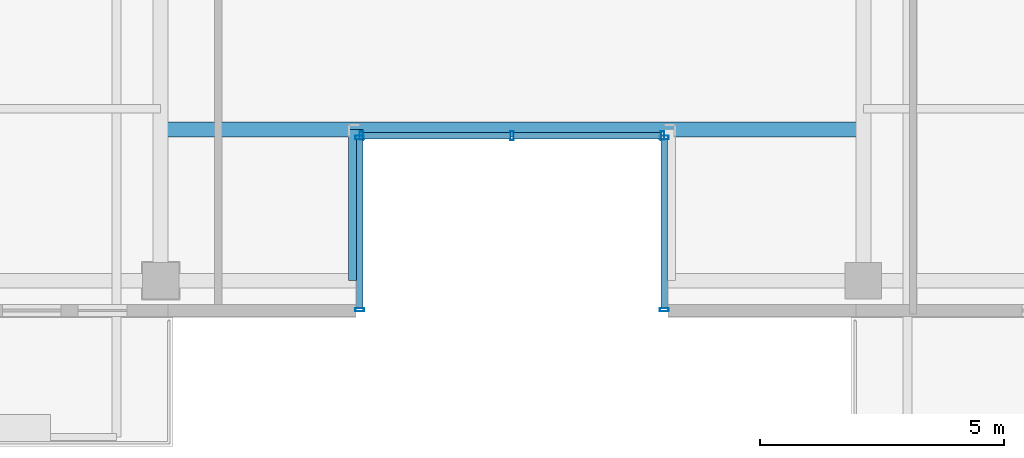
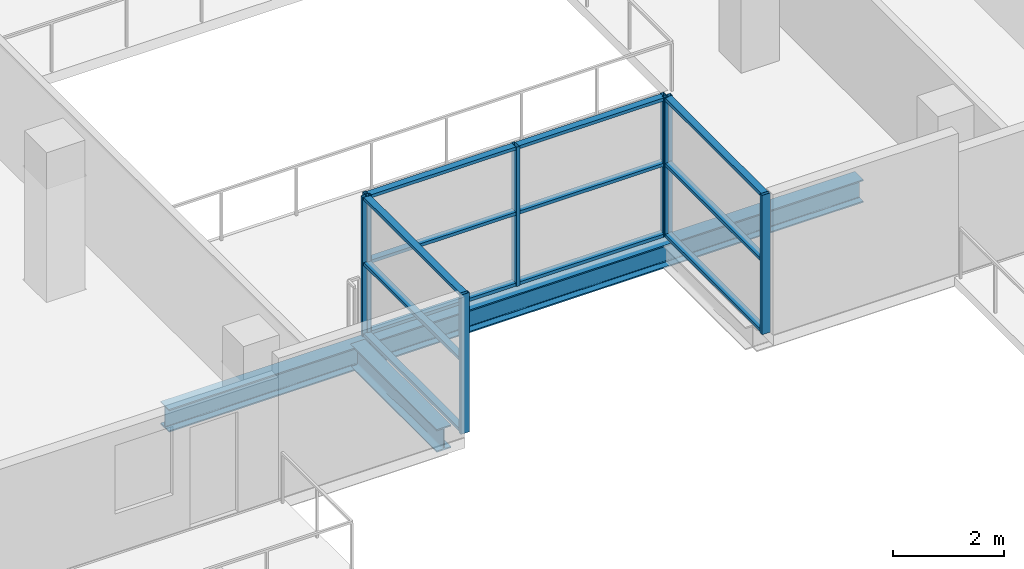
# One storey, part 2 of 21: 19 members, 2 beams, 3 elements without a shape of their own.
"""IFC4 building model written with IfcOpenShell, lengths in metres."""

from ifc_helpers import new_model, si_unit, direction, frame, origin, origin_2d, place, context, subcontext, project, spatial, hollow_rectangle, i_section, extrude, source, transform, mapped, material, layer, layer_set, material_profile, profile_set, type_object, element, aggregate, save


model = new_model("IFC4")

# Units and contexts
model_context = context("Model", 3, precision=1e-05, world=origin(), true_north=direction((0.0, 1.0)))
body_context = subcontext(model_context, "Body", "Model", "MODEL_VIEW")
ifc_project = project(units=[si_unit("LENGTHUNIT", "METRE"), si_unit("AREAUNIT", "SQUARE_METRE"), si_unit("VOLUMEUNIT", "CUBIC_METRE"), si_unit("PLANEANGLEUNIT", "RADIAN"), si_unit("MASSUNIT", "GRAM", prefix="KILO")], contexts=[model_context])

# Site, building, storey
site_placement = place(None, origin())
site = spatial("IfcSite", under=ifc_project, at=site_placement, CompositionType="ELEMENT")
building_placement = place(site_placement, origin())
building = spatial("IfcBuilding", under=site, at=building_placement, Name="Zarnakvel Exchange Tower", CompositionType="ELEMENT")
storey_placement = place(building_placement, frame((0.0, 0.0, 152.800048828125)))
storey = spatial("IfcBuildingStorey", under=building, at=storey_placement, Name="L42", CompositionType="ELEMENT", Elevation=152.800048828125)

# Beams
ifc_material_1 = material(Name="Steel S355", Category="steel")
ifc_material_profile_1 = material_profile(ifc_material_1, i_section(OverallWidth=0.300048828125, OverallDepth=0.5, WebThickness=0.014404296875, FlangeThickness=0.028076171875, FilletRadius=0.027099609375, at=origin_2d()))
ifc_profile_set_1 = profile_set([ifc_material_profile_1], Name="Steel S355")
beam_type_1 = type_object("IfcBeamType", Name="G-06", PredefinedType="BEAM", material=ifc_profile_set_1)
beam_1_placement = place(storey_placement, frame((-3.199951171875, -16.64990234375, -0.47509765625), z_axis=(0.0, 1.0, 0.0), x_axis=(-1.0, 0.0, 0.0)))
element("IfcBeam", 1, at=beam_1_placement, inside=storey, type_object=beam_type_1, Name="L42 South Slot West Cheek Beam", PredefinedType="BEAM", context=body_context, shape_type="SweptSolid", body=[
    extrude(i_section(OverallWidth=0.300048828125, OverallDepth=0.5, WebThickness=0.014404296875, FlangeThickness=0.028076171875, FilletRadius=0.027099609375, at=origin_2d()), origin(), (0.0, 0.0, 1.0), 3.099853515625),
])
ifc_material_profile_2 = material_profile(ifc_material_1, i_section(OverallWidth=0.300048828125, OverallDepth=0.5, WebThickness=0.014404296875, FlangeThickness=0.028076171875, FilletRadius=0.027099609375, at=origin_2d()))
ifc_profile_set_2 = profile_set([ifc_material_profile_2], Name="Steel S355")
beam_type_2 = type_object("IfcBeamType", Name="SP-02", PredefinedType="SPANDREL", material=ifc_profile_set_2)
beam_2_placement = place(storey_placement, frame((-7.199951171875, -13.550048828125, -0.47509765625), z_axis=(1.0, 0.0, 0.0), x_axis=(0.0, 1.0, 0.0)))
element("IfcBeam", 2, at=beam_2_placement, inside=storey, type_object=beam_type_2, Name="L42 South Slot Head Trimmer Girder", PredefinedType="SPANDREL", context=body_context, shape_type="SweptSolid", body=[
    extrude(i_section(OverallWidth=0.300048828125, OverallDepth=0.5, WebThickness=0.014404296875, FlangeThickness=0.028076171875, FilletRadius=0.027099609375, at=origin_2d()), origin(), (0.0, 0.0, 1.0), 14.39990234375),
])

# Curtain wall, members
ifc_material_2 = material(Name="Architectural Bronze Anodised Aluminium", Category="aluminium")
ifc_layer = layer(ifc_material_2, 0.179931640625)
ifc_layer_set = layer_set([ifc_layer], Name="Architectural Bronze Anodised Aluminium")
curtain_wall_type = type_object("IfcCurtainWallType", Name="CW-05", PredefinedType="NOTDEFINED", material=ifc_layer_set)
curtain_wall_1_placement = place(storey_placement, origin())
curtain_wall_1 = element("IfcCurtainWall", 3, at=curtain_wall_1_placement, inside=storey, type_object=curtain_wall_type, Name="L42 Curtain Wall CW-L42-SLW (CW-05)", PredefinedType="NOTDEFINED")
ifc_material_profile_3 = material_profile(ifc_material_2, hollow_rectangle(XDim=0.139892578125, YDim=0.070068359375, WallThickness=0.00390625, at=origin_2d()))
ifc_profile_set_3 = profile_set([ifc_material_profile_3], Name="Architectural Bronze Anodised Aluminium")
member_type_1 = type_object("IfcMemberType", Name="CWT-05", PredefinedType="USERDEFINED", material=ifc_profile_set_3)
shared_shape_1 = source(origin(), body_context, "Body", "SweptSolid", [
    extrude(hollow_rectangle(XDim=0.139892578125, YDim=0.070068359375, WallThickness=0.00390625, at=origin_2d()), origin(), (0.0, 0.0, 1.0), 3.4599609375),
])
member_1_placement = place(storey_placement, frame((-3.1201171875, -17.2099609375, 0.034912109375), z_axis=(0.0, 1.0, 0.0), x_axis=(-1.0, 0.0, 0.0)))
member_1 = element("IfcMember", 4, at=member_1_placement, type_object=member_type_1, Name="CW-05 transom 1.1", ObjectType="TRANSOM", PredefinedType="USERDEFINED", context=body_context, shape_type="MappedRepresentation", body=[
    mapped(shared_shape_1, transform((0.0, 0.0, 0.0), x_axis=(1.0, 0.0, 0.0), y_axis=(0.0, 1.0, 0.0), z_axis=(0.0, 0.0, 1.0), scale=1.0)),
])
member_2_placement = place(storey_placement, frame((-3.1201171875, -17.2099609375, 1.588623046875), z_axis=(0.0, 1.0, 0.0), x_axis=(-1.0, 0.0, 0.0)))
member_2 = element("IfcMember", 5, at=member_2_placement, type_object=member_type_1, Name="CW-05 transom 1.2", ObjectType="TRANSOM", PredefinedType="USERDEFINED", context=body_context, shape_type="MappedRepresentation", body=[
    mapped(shared_shape_1, transform((0.0, 0.0, 0.0), x_axis=(1.0, 0.0, 0.0), y_axis=(0.0, 1.0, 0.0), z_axis=(0.0, 0.0, 1.0), scale=1.0)),
])
member_3_placement = place(storey_placement, frame((-3.1201171875, -17.2099609375, 3.02001953125), z_axis=(0.0, 1.0, 0.0), x_axis=(-1.0, 0.0, 0.0)))
member_3 = element("IfcMember", 6, at=member_3_placement, type_object=member_type_1, Name="CW-05 transom 1.3", ObjectType="TRANSOM", PredefinedType="USERDEFINED", context=body_context, shape_type="MappedRepresentation", body=[
    mapped(shared_shape_1, transform((0.0, 0.0, 0.0), x_axis=(1.0, 0.0, 0.0), y_axis=(0.0, 1.0, 0.0), z_axis=(0.0, 0.0, 1.0), scale=1.0)),
])

curtain_wall_2_placement = place(storey_placement, origin())
curtain_wall_2 = element("IfcCurtainWall", 7, at=curtain_wall_2_placement, inside=storey, type_object=curtain_wall_type, Name="L42 Curtain Wall CW-L42-SLE (CW-05)", PredefinedType="NOTDEFINED")
member_4_placement = place(storey_placement, frame((3.1201171875, -13.75, 0.034912109375), z_axis=(0.0, -1.0, 0.0), x_axis=(1.0, 0.0, 0.0)))
member_4 = element("IfcMember", 8, at=member_4_placement, type_object=member_type_1, Name="CW-05 transom 1.1", ObjectType="TRANSOM", PredefinedType="USERDEFINED", context=body_context, shape_type="MappedRepresentation", body=[
    mapped(shared_shape_1, transform((0.0, 0.0, 0.0), x_axis=(1.0, 0.0, 0.0), y_axis=(0.0, 1.0, 0.0), z_axis=(0.0, 0.0, 1.0), scale=1.0)),
])
member_5_placement = place(storey_placement, frame((3.1201171875, -13.75, 1.588623046875), z_axis=(0.0, -1.0, 0.0), x_axis=(1.0, 0.0, 0.0)))
member_5 = element("IfcMember", 9, at=member_5_placement, type_object=member_type_1, Name="CW-05 transom 1.2", ObjectType="TRANSOM", PredefinedType="USERDEFINED", context=body_context, shape_type="MappedRepresentation", body=[
    mapped(shared_shape_1, transform((0.0, 0.0, 0.0), x_axis=(1.0, 0.0, 0.0), y_axis=(0.0, 1.0, 0.0), z_axis=(0.0, 0.0, 1.0), scale=1.0)),
])
member_6_placement = place(storey_placement, frame((3.1201171875, -13.75, 3.02001953125), z_axis=(0.0, -1.0, 0.0), x_axis=(1.0, 0.0, 0.0)))
member_6 = element("IfcMember", 10, at=member_6_placement, type_object=member_type_1, Name="CW-05 transom 1.3", ObjectType="TRANSOM", PredefinedType="USERDEFINED", context=body_context, shape_type="MappedRepresentation", body=[
    mapped(shared_shape_1, transform((0.0, 0.0, 0.0), x_axis=(1.0, 0.0, 0.0), y_axis=(0.0, 1.0, 0.0), z_axis=(0.0, 0.0, 1.0), scale=1.0)),
])

curtain_wall_3_placement = place(storey_placement, origin())
curtain_wall_3 = element("IfcCurtainWall", 11, at=curtain_wall_3_placement, inside=storey, type_object=curtain_wall_type, Name="L42 Curtain Wall CW-L42-SLB (CW-05)", PredefinedType="NOTDEFINED")
shared_shape_2 = source(origin(), body_context, "Body", "SweptSolid", [
    extrude(hollow_rectangle(XDim=0.139892578125, YDim=0.070068359375, WallThickness=0.00390625, at=origin_2d()), origin(), (0.0, 0.0, 1.0), 3.01513671875),
])
member_7_placement = place(storey_placement, frame((-3.050048828125, -13.679931640625, 0.034912109375), z_axis=(1.0, 0.0, 0.0), x_axis=(0.0, 1.0, 0.0)))
member_7 = element("IfcMember", 12, at=member_7_placement, type_object=member_type_1, Name="CW-05 transom 1.1", ObjectType="TRANSOM", PredefinedType="USERDEFINED", context=body_context, shape_type="MappedRepresentation", body=[
    mapped(shared_shape_2, transform((0.0, 0.0, 0.0), x_axis=(1.0, 0.0, 0.0), y_axis=(0.0, 1.0, 0.0), z_axis=(0.0, 0.0, 1.0), scale=1.0)),
])
member_8_placement = place(storey_placement, frame((-3.050048828125, -13.679931640625, 1.588623046875), z_axis=(1.0, 0.0, 0.0), x_axis=(0.0, 1.0, 0.0)))
member_8 = element("IfcMember", 13, at=member_8_placement, type_object=member_type_1, Name="CW-05 transom 1.2", ObjectType="TRANSOM", PredefinedType="USERDEFINED", context=body_context, shape_type="MappedRepresentation", body=[
    mapped(shared_shape_2, transform((0.0, 0.0, 0.0), x_axis=(1.0, 0.0, 0.0), y_axis=(0.0, 1.0, 0.0), z_axis=(0.0, 0.0, 1.0), scale=1.0)),
])
member_9_placement = place(storey_placement, frame((-3.050048828125, -13.679931640625, 3.02001953125), z_axis=(1.0, 0.0, 0.0), x_axis=(0.0, 1.0, 0.0)))
member_9 = element("IfcMember", 14, at=member_9_placement, type_object=member_type_1, Name="CW-05 transom 1.3", ObjectType="TRANSOM", PredefinedType="USERDEFINED", context=body_context, shape_type="MappedRepresentation", body=[
    mapped(shared_shape_2, transform((0.0, 0.0, 0.0), x_axis=(1.0, 0.0, 0.0), y_axis=(0.0, 1.0, 0.0), z_axis=(0.0, 0.0, 1.0), scale=1.0)),
])
member_10_placement = place(storey_placement, frame((0.034912109375, -13.679931640625, 0.034912109375), z_axis=(1.0, 0.0, 0.0), x_axis=(0.0, 1.0, 0.0)))
member_10 = element("IfcMember", 15, at=member_10_placement, type_object=member_type_1, Name="CW-05 transom 2.1", ObjectType="TRANSOM", PredefinedType="USERDEFINED", context=body_context, shape_type="MappedRepresentation", body=[
    mapped(shared_shape_2, transform((0.0, 0.0, 0.0), x_axis=(1.0, 0.0, 0.0), y_axis=(0.0, 1.0, 0.0), z_axis=(0.0, 0.0, 1.0), scale=1.0)),
])
member_11_placement = place(storey_placement, frame((0.034912109375, -13.679931640625, 1.588623046875), z_axis=(1.0, 0.0, 0.0), x_axis=(0.0, 1.0, 0.0)))
member_11 = element("IfcMember", 16, at=member_11_placement, type_object=member_type_1, Name="CW-05 transom 2.2", ObjectType="TRANSOM", PredefinedType="USERDEFINED", context=body_context, shape_type="MappedRepresentation", body=[
    mapped(shared_shape_2, transform((0.0, 0.0, 0.0), x_axis=(1.0, 0.0, 0.0), y_axis=(0.0, 1.0, 0.0), z_axis=(0.0, 0.0, 1.0), scale=1.0)),
])
member_12_placement = place(storey_placement, frame((0.034912109375, -13.679931640625, 3.02001953125), z_axis=(1.0, 0.0, 0.0), x_axis=(0.0, 1.0, 0.0)))
member_12 = element("IfcMember", 17, at=member_12_placement, type_object=member_type_1, Name="CW-05 transom 2.3", ObjectType="TRANSOM", PredefinedType="USERDEFINED", context=body_context, shape_type="MappedRepresentation", body=[
    mapped(shared_shape_2, transform((0.0, 0.0, 0.0), x_axis=(1.0, 0.0, 0.0), y_axis=(0.0, 1.0, 0.0), z_axis=(0.0, 0.0, 1.0), scale=1.0)),
])

# Member
ifc_material_profile_4 = material_profile(ifc_material_2, hollow_rectangle(XDim=0.179931640625, YDim=0.070068359375, WallThickness=0.00390625, at=origin_2d()))
ifc_profile_set_4 = profile_set([ifc_material_profile_4], Name="Architectural Bronze Anodised Aluminium")
member_type_2 = type_object("IfcMemberType", Name="CWM-05", PredefinedType="MULLION", material=ifc_profile_set_4)
shared_shape_3 = source(origin(), body_context, "Body", "SweptSolid", [
    extrude(hollow_rectangle(XDim=0.179931640625, YDim=0.070068359375, WallThickness=0.00390625, at=origin_2d()), origin(), (0.0, 0.0, 1.0), 3.054931640625),
])
member_13_placement = place(storey_placement, frame((-3.1201171875, -17.2451171875, 0.0), z_axis=(0.0, 0.0, 1.0), x_axis=(-1.0, 0.0, 0.0)))
member_13 = element("IfcMember", 18, at=member_13_placement, type_object=member_type_2, Name="CW-05 mullion 1", PredefinedType="MULLION", context=body_context, shape_type="MappedRepresentation", body=[
    mapped(shared_shape_3, transform((0.0, 0.0, 0.0), x_axis=(1.0, 0.0, 0.0), y_axis=(0.0, 1.0, 0.0), z_axis=(0.0, 0.0, 1.0), scale=1.0)),
])

member_14_placement = place(storey_placement, frame((-3.1201171875, -13.715087890625, 0.0), z_axis=(0.0, 0.0, 1.0), x_axis=(-1.0, 0.0, 0.0)))
member_14 = element("IfcMember", 19, at=member_14_placement, type_object=member_type_2, Name="CW-05 mullion 2", PredefinedType="MULLION", context=body_context, shape_type="MappedRepresentation", body=[
    mapped(shared_shape_3, transform((0.0, 0.0, 0.0), x_axis=(1.0, 0.0, 0.0), y_axis=(0.0, 1.0, 0.0), z_axis=(0.0, 0.0, 1.0), scale=1.0)),
])

aggregate(curtain_wall_1, [member_13, member_14, member_1, member_2, member_3])

member_15_placement = place(storey_placement, frame((-3.0849609375, -13.679931640625, 0.0), z_axis=(0.0, 0.0, 1.0), x_axis=(0.0, 1.0, 0.0)))
member_15 = element("IfcMember", 20, at=member_15_placement, type_object=member_type_2, Name="CW-05 mullion 1", PredefinedType="MULLION", context=body_context, shape_type="MappedRepresentation", body=[
    mapped(shared_shape_3, transform((0.0, 0.0, 0.0), x_axis=(1.0, 0.0, 0.0), y_axis=(0.0, 1.0, 0.0), z_axis=(0.0, 0.0, 1.0), scale=1.0)),
])

member_16_placement = place(storey_placement, frame((0.0, -13.679931640625, 0.0), z_axis=(0.0, 0.0, 1.0), x_axis=(0.0, 1.0, 0.0)))
member_16 = element("IfcMember", 21, at=member_16_placement, type_object=member_type_2, Name="CW-05 mullion 2", PredefinedType="MULLION", context=body_context, shape_type="MappedRepresentation", body=[
    mapped(shared_shape_3, transform((0.0, 0.0, 0.0), x_axis=(1.0, 0.0, 0.0), y_axis=(0.0, 1.0, 0.0), z_axis=(0.0, 0.0, 1.0), scale=1.0)),
])

member_17_placement = place(storey_placement, frame((3.0849609375, -13.679931640625, 0.0), z_axis=(0.0, 0.0, 1.0), x_axis=(0.0, 1.0, 0.0)))
member_17 = element("IfcMember", 22, at=member_17_placement, type_object=member_type_2, Name="CW-05 mullion 3", PredefinedType="MULLION", context=body_context, shape_type="MappedRepresentation", body=[
    mapped(shared_shape_3, transform((0.0, 0.0, 0.0), x_axis=(1.0, 0.0, 0.0), y_axis=(0.0, 1.0, 0.0), z_axis=(0.0, 0.0, 1.0), scale=1.0)),
])

aggregate(curtain_wall_3, [member_15, member_16, member_17, member_7, member_8, member_9, member_10, member_11, member_12])

member_18_placement = place(storey_placement, frame((3.1201171875, -13.715087890625, 0.0), z_axis=(0.0, 0.0, 1.0), x_axis=(1.0, 0.0, 0.0)))
member_18 = element("IfcMember", 23, at=member_18_placement, type_object=member_type_2, Name="CW-05 mullion 1", PredefinedType="MULLION", context=body_context, shape_type="MappedRepresentation", body=[
    mapped(shared_shape_3, transform((0.0, 0.0, 0.0), x_axis=(1.0, 0.0, 0.0), y_axis=(0.0, 1.0, 0.0), z_axis=(0.0, 0.0, 1.0), scale=1.0)),
])

member_19_placement = place(storey_placement, frame((3.1201171875, -17.2451171875, 0.0), z_axis=(0.0, 0.0, 1.0), x_axis=(1.0, 0.0, 0.0)))
member_19 = element("IfcMember", 24, at=member_19_placement, type_object=member_type_2, Name="CW-05 mullion 2", PredefinedType="MULLION", context=body_context, shape_type="MappedRepresentation", body=[
    mapped(shared_shape_3, transform((0.0, 0.0, 0.0), x_axis=(1.0, 0.0, 0.0), y_axis=(0.0, 1.0, 0.0), z_axis=(0.0, 0.0, 1.0), scale=1.0)),
])

aggregate(curtain_wall_2, [member_18, member_19, member_4, member_5, member_6])

save(model, "model.ifc")
